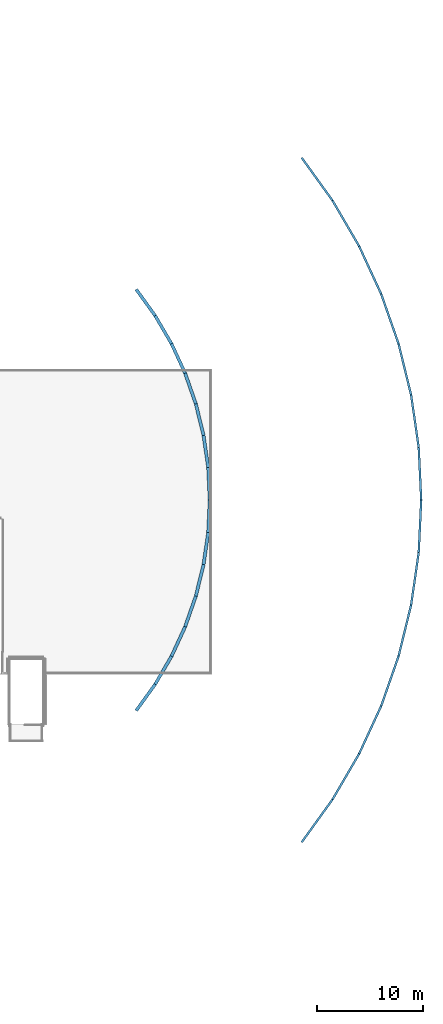
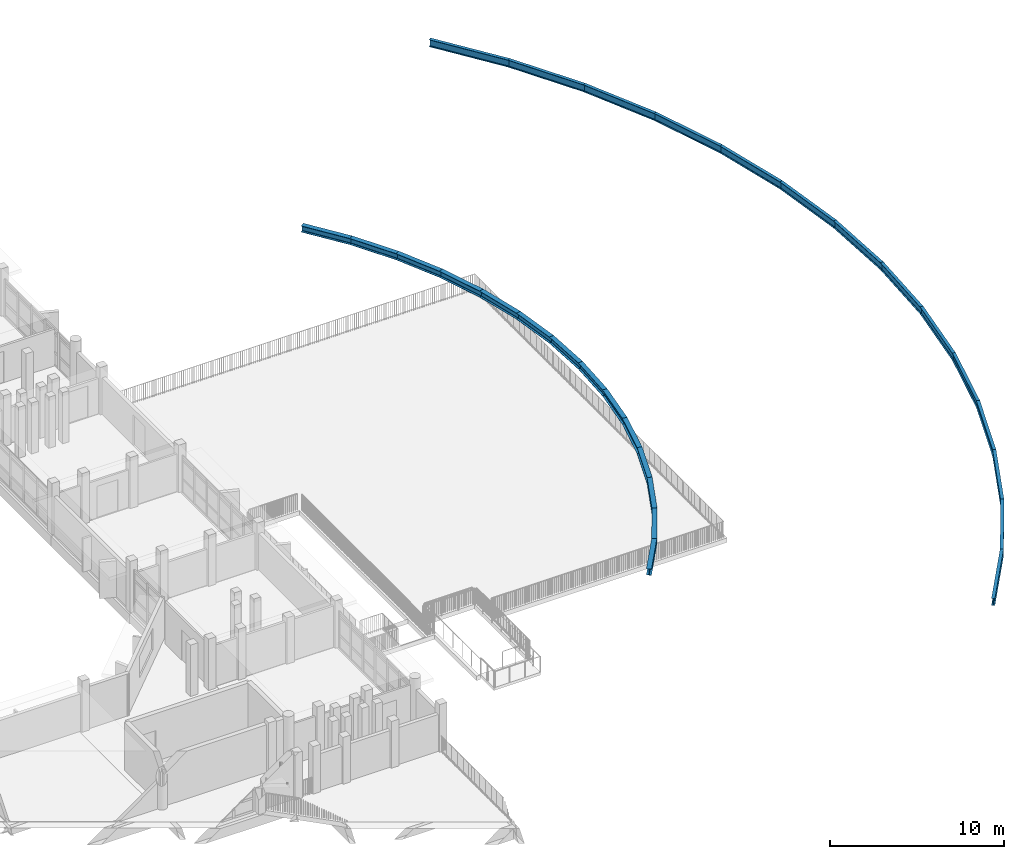
# One storey, part 42 of 92: 28 beams.
"""IFC4 building model written with IfcOpenShell, lengths in metres."""

import ifcopenshell
import ifcopenshell.guid

model = None  # the IFC model being written
_history = None  # IfcOwnerHistory: only IFC2X3 demands one
_inside = {}  # id of a spatial element -> (the spatial element, [elements in it])
_under = {}  # id of a project, library or spatial element -> (it, [spatial elements below it])
_declared = {}  # id of a project -> (the project, [libraries it declares])
_typed = {}  # id of a type object -> (the type object, [elements of that type])
_made_of = {}  # id of a material, layer set ... -> (it, [elements and type objects made of it])


def new_model(schema):
    """Start an empty IFC model of exactly this schema.

    Asked for "IFC4X3", IfcOpenShell would pick the latest addendum, in which some entities
    have other attributes; the version numbers below select the first issue.
    IFC2X3 requires an IfcOwnerHistory on every rooted entity: one is made here for all.
    """
    global model, _history
    if schema == "IFC4X3":
        model = ifcopenshell.file(schema_version=(4, 3, 0, 0))
    else:
        model = ifcopenshell.file(schema=schema)
    _inside.clear()
    _under.clear()
    _declared.clear()
    _typed.clear()
    _made_of.clear()
    _history = None
    if model.schema == "IFC2X3":
        org = make("IfcOrganization", Name="unknown")
        user = make(
            "IfcPersonAndOrganization",
            ThePerson=make("IfcPerson", FamilyName="unknown"),
            TheOrganization=org,
        )
        app = make(
            "IfcApplication",
            ApplicationDeveloper=org,
            Version="unknown",
            ApplicationFullName="unknown",
            ApplicationIdentifier="unknown",
        )
        _history = make(
            "IfcOwnerHistory",
            OwningUser=user,
            OwningApplication=app,
            ChangeAction="ADDED",
            CreationDate=0,
        )
    return model


def make(cls, **values):
    """One entity of the class cls with the attributes given. An attribute that is None is left unset."""
    return model.create_entity(
        cls, **{name: value for name, value in values.items() if value is not None}
    )


def rooted(cls, **values):
    """An entity with a GlobalId (a new one), such as an element, a storey or a relation."""
    return make(cls, GlobalId=ifcopenshell.guid.new(), OwnerHistory=_history, **values)


def si_unit(unit_type, name, prefix=None):
    """IfcSIUnit, for example si_unit("LENGTHUNIT", "METRE", prefix="MILLI")."""
    return make("IfcSIUnit", UnitType=unit_type, Prefix=prefix, Name=name)


def assignment(units):
    """IfcUnitAssignment: the units of a project."""
    return None if units is None else make("IfcUnitAssignment", Units=units)


def point(xyz):
    """IfcCartesianPoint."""
    return None if xyz is None else make("IfcCartesianPoint", Coordinates=xyz)


def direction(xyz):
    """IfcDirection."""
    return None if xyz is None else make("IfcDirection", DirectionRatios=xyz)


def frame(location, z_axis=None, x_axis=None):
    """IfcAxis2Placement3D, a coordinate frame: its origin and axes. An axis left out is left unset."""
    return make(
        "IfcAxis2Placement3D",
        Location=point(location),
        Axis=direction(z_axis),
        RefDirection=direction(x_axis),
    )


def frame_2d(location, x_axis=None):
    """IfcAxis2Placement2D, a coordinate frame in the plane: its origin and x axis."""
    return make(
        "IfcAxis2Placement2D", Location=point(location), RefDirection=direction(x_axis)
    )


def origin():
    """The frame at (0, 0, 0) with its axes left unset."""
    return frame((0.0, 0.0, 0.0))


def origin_2d():
    """The frame at (0, 0) in the plane with its x axis left unset."""
    return frame_2d((0.0, 0.0))


def place(relative_to, where):
    """IfcLocalPlacement: puts the frame where relative to a parent placement (None: the world)."""
    return make(
        "IfcLocalPlacement", PlacementRelTo=relative_to, RelativePlacement=where
    )


def context(
    kind, dimensions, precision=None, world=None, true_north=None, identifier=None
):
    """IfcGeometricRepresentationContext, for example the 3D "Model" context."""
    return make(
        "IfcGeometricRepresentationContext",
        ContextIdentifier=identifier,
        ContextType=kind,
        CoordinateSpaceDimension=dimensions,
        Precision=precision,
        WorldCoordinateSystem=world,
        TrueNorth=true_north,
    )


def subcontext(parent, identifier, kind, view, scale=None):
    """IfcGeometricRepresentationSubContext, for example "Body" below "Model"."""
    return make(
        "IfcGeometricRepresentationSubContext",
        ContextIdentifier=identifier,
        ContextType=kind,
        ParentContext=parent,
        TargetScale=scale,
        TargetView=view,
    )


def project(units=None, contexts=None):
    """IfcProject with its units and contexts."""
    return rooted(
        "IfcProject",
        Name="project",
        RepresentationContexts=contexts,
        UnitsInContext=assignment(units),
    )


def spatial(cls, under=None, at=None, **own):
    """A site, building, storey or space (cls), placed at a placement, below another one or the project."""
    s = rooted(cls, ObjectPlacement=at, **own)
    if under is not None:
        _under.setdefault(under.id(), (under, []))[1].append(s)
    return s


def profile(cls, at=None, kind="AREA", **sizes):
    """A parametric profile (cls). Its sizes go by their IFC names, for example OverallWidth=200.0."""
    return make(cls, ProfileType=kind, Position=at, **sizes)


def i_section(**sizes):
    """IfcIShapeProfileDef."""
    return profile("IfcIShapeProfileDef", **sizes)


def extrude(swept, where, along, depth):
    """IfcExtrudedAreaSolid: the profile swept, set in the frame where, extruded along a direction by depth."""
    return make(
        "IfcExtrudedAreaSolid",
        SweptArea=swept,
        Position=where,
        ExtrudedDirection=direction(along),
        Depth=depth,
    )


def shape(context_of_items, identifier, shape_type, items):
    """IfcShapeRepresentation: the items that make up one representation, for example the "Body"."""
    return make(
        "IfcShapeRepresentation",
        ContextOfItems=context_of_items,
        RepresentationIdentifier=identifier,
        RepresentationType=shape_type,
        Items=items,
    )


def material(Name=None, Category=None):
    """IfcMaterial."""
    return make("IfcMaterial", Name=Name, Category=Category)


def material_profile(
    of_material, cross_section, Name=None, Category=None, Priority=None
):
    """IfcMaterialProfile: a cross section and its material."""
    return make(
        "IfcMaterialProfile",
        Name=Name,
        Material=of_material,
        Profile=cross_section,
        Priority=Priority,
        Category=Category,
    )


def profile_set(profiles, Name=None, composite=None):
    """IfcMaterialProfileSet."""
    return make(
        "IfcMaterialProfileSet",
        Name=Name,
        MaterialProfiles=profiles,
        CompositeProfile=composite,
    )


def made_of(thing, what):
    """Note that an element or type object is made of a material, layer set ...; save() writes the relation."""
    if what is not None:
        _made_of.setdefault(what.id(), (what, []))[1].append(thing)
    return thing


def type_object(cls, material=None, **own):
    """A type object (cls), such as IfcWallType, which elements share."""
    return made_of(rooted(cls, **own), material)


def element(
    cls,
    number,
    at=None,
    inside=None,
    cuts=None,
    type_object=None,
    material=None,
    context=None,
    identifier="Body",
    shape_type=None,
    held_by="IfcProductDefinitionShape",
    body=None,
    shapes=None,
    **own,
):
    """One element of the class cls, such as IfcWall. Its Tag is "e" and its number.

    at: its placement. inside: the storey or other place that contains it. cuts: it is an
    opening in that element (IfcRelVoidsElement). A single representation is given by context,
    identifier, shape_type and body (its items); several are given by shapes. held_by: the class
    of the entity that holds the representations. save() writes the other relations.
    """
    e = rooted(cls, Tag="e%d" % number, ObjectPlacement=at, **own)
    if body is not None:
        shapes = [shape(context, identifier, shape_type, body)]
    if shapes is not None:
        e.Representation = make(held_by, Representations=shapes)
    if inside is not None:
        _inside.setdefault(inside.id(), (inside, []))[1].append(e)
    if cuts is not None:
        rooted(
            "IfcRelVoidsElement", RelatingBuildingElement=cuts, RelatedOpeningElement=e
        )
    if type_object is not None:
        _typed.setdefault(type_object.id(), (type_object, []))[1].append(e)
    return made_of(e, material)


def aggregate(whole, parts):
    """IfcRelAggregates: a whole, such as a stair, and the parts it consists of."""
    return rooted("IfcRelAggregates", RelatingObject=whole, RelatedObjects=parts)


def save(model, path):
    """Write the relations noted so far, then the file.

    IfcRelAggregates (storeys below a building ...), IfcRelContainedInSpatialStructure (elements
    in a storey), IfcRelDefinesByType, IfcRelAssociatesMaterial and IfcRelDeclares: one each for
    every whole, place, type object, material and project.
    """
    for whole, parts in _under.values():
        aggregate(whole, parts)
    for where, things in _inside.values():
        rooted(
            "IfcRelContainedInSpatialStructure",
            RelatedElements=things,
            RelatingStructure=where,
        )
    for kind, things in _typed.values():
        rooted("IfcRelDefinesByType", RelatedObjects=things, RelatingType=kind)
    for what, things in _made_of.values():
        rooted("IfcRelAssociatesMaterial", RelatedObjects=things, RelatingMaterial=what)
    for by, libraries in _declared.values():
        rooted("IfcRelDeclares", RelatingContext=by, RelatedDefinitions=libraries)
    model.write(path)


model = new_model("IFC4")

# Units and contexts
model_context = context("Model", 3, precision=1e-05, world=origin(), true_north=direction((0.0, 1.0)))
body_context = subcontext(model_context, "Body", "Model", "MODEL_VIEW")
ifc_project = project(units=[si_unit("LENGTHUNIT", "METRE"), si_unit("AREAUNIT", "SQUARE_METRE"), si_unit("VOLUMEUNIT", "CUBIC_METRE"), si_unit("PLANEANGLEUNIT", "RADIAN"), si_unit("MASSUNIT", "GRAM", prefix="KILO")], contexts=[model_context])

# Site, building, storey
site_placement = place(None, origin())
site = spatial("IfcSite", under=ifc_project, at=site_placement, CompositionType="ELEMENT")
building_placement = place(site_placement, origin())
building = spatial("IfcBuilding", under=site, at=building_placement, Name="Vanh Quang Courtyard School", CompositionType="ELEMENT")
storey_placement = place(building_placement, frame((0.0, 0.0, 7.800048828125)))
storey = spatial("IfcBuildingStorey", under=building, at=storey_placement, Name="L02", CompositionType="ELEMENT", Elevation=7.800048828125)

# Beams
ifc_material = material(Name="Structural steel EN 10025-2 S355J2", Category="steel")
ifc_material_profile_1 = material_profile(ifc_material, i_section(OverallWidth=0.300048828125, OverallDepth=0.43994140625, WebThickness=0.011474609375, FlangeThickness=0.02099609375, FilletRadius=0.027099609375, at=origin_2d()), Name="HEA 450")
ifc_profile_set_1 = profile_set([ifc_material_profile_1], Name="Structural steel EN 10025-2 S355J2")
beam_type_1 = type_object("IfcBeamType", Name="BM-STL-HEA450", PredefinedType="BEAM", material=ifc_profile_set_1)
for number, where, z_axis, x_axis, name in (
    (1, (137.04345703125, 36.07958984375, 2.179931640625), (0.58425026462, 0.811573550759, 0.0), (-0.811573550759, 0.58425026462, 0.0), "Beam SB-07 (L02)"),
    (2, (138.83740234375, 38.571533203125, 2.179931640625), (0.503757321811, 0.863845218035, 0.0), (-0.863845218035, 0.503757321811, 0.0), "Beam SB-07 (L02)"),
    (3, (140.38427734375, 41.22412109375, 2.179931640625), (0.41868503989, 0.908131508853, 0.0), (-0.908131508853, 0.41868503989, 0.0), "Beam SB-07 (L02)"),
    (4, (141.669921875, 44.0126953125, 2.179931640625), (0.329649085897, 0.944103532547, 0.0), (-0.944103532547, 0.329649085897, 0.0), "Beam SB-07 (L02)"),
    (5, (142.68212890625, 46.91162109375, 2.179931640625), (0.237743194062, 0.971328046376, 0.0), (-0.971328046376, 0.237743194062, 0.0), "Beam SB-07 (L02)"),
    (6, (143.412109375, 49.89404296875, 2.179931640625), (0.143513716722, 0.989648328, 0.0), (-0.989648328, 0.143513716722, 0.0), "Beam SB-07 (L02)"),
    (7, (143.852783203125, 52.932861328125, 2.179931640625), (0.04794289558, 0.998850078222, 0.0), (-0.998850078222, 0.04794289558, 0.0), "Beam SB-07 (L02)"),
    (8, (144.0, 56.0, 2.179931640625), (-0.04794289558, 0.998850078222, 0.0), (-0.998850078222, -0.04794289558, 0.0), "Beam SB-07 (L02)"),
    (9, (143.852783203125, 59.067138671875, 2.179931640625), (-0.143513716722, 0.989648328, 0.0), (-0.989648328, -0.143513716722, 0.0), "Beam SB-07 (L02)"),
    (10, (143.412109375, 62.10595703125, 2.179931640625), (-0.237743194062, 0.971328046376, 0.0), (-0.971328046376, -0.237743194062, 0.0), "Beam SB-07 (L02)"),
    (11, (142.68212890625, 65.08837890625, 2.179931640625), (-0.329649085897, 0.944103532547, 0.0), (-0.944103532547, -0.329649085897, 0.0), "Beam SB-07 (L02)"),
    (12, (141.669921875, 67.9873046875, 2.179931640625), (-0.41868503989, 0.908131508853, 0.0), (-0.908131508853, -0.41868503989, 0.0), "Beam SB-07 (L02)"),
    (13, (140.38427734375, 70.77587890625, 2.179931640625), (-0.503757321811, 0.863845218035, 0.0), (-0.863845218035, -0.503757321811, 0.0), "Beam SB-07 (L02)"),
    (14, (138.83740234375, 73.428466796875, 2.179931640625), (-0.58425026462, 0.811573550759, 0.0), (-0.811573550759, -0.58425026462, 0.0), "Beam SB-07 (L02)"),
):
    element("IfcBeam", number, at=place(storey_placement, frame(where, z_axis=z_axis, x_axis=x_axis)), inside=storey, type_object=beam_type_1, Name=name, PredefinedType="BEAM", context=body_context, shape_type="SweptSolid", body=[
        extrude(i_section(OverallWidth=0.300048828125, OverallDepth=0.43994140625, WebThickness=0.011474609375, FlangeThickness=0.02099609375, FilletRadius=0.027099609375, at=origin_2d()), origin(), (0.0, 0.0, 1.0), 3.070556640625),
    ])
ifc_material_profile_2 = material_profile(ifc_material, i_section(OverallWidth=0.199951171875, OverallDepth=0.5, WebThickness=0.01025390625, FlangeThickness=0.01611328125, FilletRadius=0.02099609375, at=origin_2d()), Name="IPE 500")
ifc_profile_set_2 = profile_set([ifc_material_profile_2], Name="Structural steel EN 10025-2 S355J2")
beam_type_2 = type_object("IfcBeamType", Name="BM-STL-IPE500", PredefinedType="BEAM", material=ifc_profile_set_2)
for number, where, z_axis, x_axis, name in (
    (15, (152.695556640625, 23.629150390625, 2.14990234375), (0.584251878004, 0.811572389285, 0.0), (-0.811572389285, 0.584251878004, 0.0), "Beam SB-03 (L02)"),
    (16, (155.61083984375, 27.6787109375, 2.14990234375), (0.503770629409, 0.86383745748, 0.0), (-0.86383745748, 0.503770629409, 0.0), "Beam SB-03 (L02)"),
):
    element("IfcBeam", number, at=place(storey_placement, frame(where, z_axis=z_axis, x_axis=x_axis)), inside=storey, type_object=beam_type_2, Name=name, PredefinedType="BEAM", context=body_context, shape_type="SweptSolid", body=[
        extrude(i_section(OverallWidth=0.199951171875, OverallDepth=0.5, WebThickness=0.01025390625, FlangeThickness=0.01611328125, FilletRadius=0.02099609375, at=origin_2d()), origin(), (0.0, 0.0, 1.0), 4.98974609375),
    ])
beam_1_placement = place(storey_placement, frame((158.12451171875, 31.989013671875, 2.14990234375), z_axis=(0.418670301438, 0.908138303726, 0.0), x_axis=(-0.908138303726, 0.418670301438, 0.0)))
element("IfcBeam", 17, at=beam_1_placement, inside=storey, type_object=beam_type_2, Name="Beam SB-03 (L02)", PredefinedType="BEAM", context=body_context, shape_type="SweptSolid", body=[
    extrude(i_section(OverallWidth=0.199951171875, OverallDepth=0.5, WebThickness=0.01025390625, FlangeThickness=0.01611328125, FilletRadius=0.02099609375, at=origin_2d()), origin(), (0.0, 0.0, 1.0), 4.989990234375),
])
for number, where, z_axis, x_axis, name in (
    (18, (160.213623046875, 36.5205078125, 2.14990234375), (0.329685601796, 0.944090781635, 0.0), (-0.944090781635, 0.329685601796, 0.0), "Beam SB-03 (L02)"),
    (19, (161.858642578125, 41.231201171875, 2.14990234375), (0.237697272168, 0.971339285113, 0.0), (-0.971339285113, 0.237697272168, 0.0), "Beam SB-03 (L02)"),
    (20, (163.044677734375, 46.077880859375, 2.14990234375), (0.143455463532, 0.989656773828, 0.0), (-0.989656773828, 0.143455463532, 0.0), "Beam SB-03 (L02)"),
    (21, (163.760498046875, 51.01611328125, 2.14990234375), (0.04799986493, 0.998847342173, 0.0), (-0.998847342173, 0.04799986493, 0.0), "Beam SB-03 (L02)"),
    (22, (164.0, 56.0, 2.14990234375), (-0.04799986493, 0.998847342173, 0.0), (-0.998847342173, -0.04799986493, 0.0), "Beam SB-03 (L02)"),
    (23, (163.760498046875, 60.98388671875, 2.14990234375), (-0.143455463532, 0.989656773828, 0.0), (-0.989656773828, -0.143455463532, 0.0), "Beam SB-03 (L02)"),
    (24, (163.044677734375, 65.922119140625, 2.14990234375), (-0.237697272168, 0.971339285113, 0.0), (-0.971339285113, -0.237697272168, 0.0), "Beam SB-03 (L02)"),
    (25, (161.858642578125, 70.768798828125, 2.14990234375), (-0.329685601796, 0.944090781635, 0.0), (-0.944090781635, -0.329685601796, 0.0), "Beam SB-03 (L02)"),
):
    element("IfcBeam", number, at=place(storey_placement, frame(where, z_axis=z_axis, x_axis=x_axis)), inside=storey, type_object=beam_type_2, Name=name, PredefinedType="BEAM", context=body_context, shape_type="SweptSolid", body=[
        extrude(i_section(OverallWidth=0.199951171875, OverallDepth=0.5, WebThickness=0.01025390625, FlangeThickness=0.01611328125, FilletRadius=0.02099609375, at=origin_2d()), origin(), (0.0, 0.0, 1.0), 4.98974609375),
    ])
beam_2_placement = place(storey_placement, frame((160.213623046875, 75.4794921875, 2.14990234375), z_axis=(-0.418670301438, 0.908138303726, 0.0), x_axis=(-0.908138303726, -0.418670301438, 0.0)))
element("IfcBeam", 26, at=beam_2_placement, inside=storey, type_object=beam_type_2, Name="Beam SB-03 (L02)", PredefinedType="BEAM", context=body_context, shape_type="SweptSolid", body=[
    extrude(i_section(OverallWidth=0.199951171875, OverallDepth=0.5, WebThickness=0.01025390625, FlangeThickness=0.01611328125, FilletRadius=0.02099609375, at=origin_2d()), origin(), (0.0, 0.0, 1.0), 4.989990234375),
])
for number, where, z_axis, x_axis, name in (
    (27, (158.12451171875, 80.010986328125, 2.14990234375), (-0.503770629409, 0.86383745748, 0.0), (-0.86383745748, -0.503770629409, 0.0), "Beam SB-03 (L02)"),
    (28, (155.61083984375, 84.3212890625, 2.14990234375), (-0.584251878004, 0.811572389285, 0.0), (-0.811572389285, -0.584251878004, 0.0), "Beam SB-03 (L02)"),
):
    element("IfcBeam", number, at=place(storey_placement, frame(where, z_axis=z_axis, x_axis=x_axis)), inside=storey, type_object=beam_type_2, Name=name, PredefinedType="BEAM", context=body_context, shape_type="SweptSolid", body=[
        extrude(i_section(OverallWidth=0.199951171875, OverallDepth=0.5, WebThickness=0.01025390625, FlangeThickness=0.01611328125, FilletRadius=0.02099609375, at=origin_2d()), origin(), (0.0, 0.0, 1.0), 4.98974609375),
    ])

save(model, "model.ifc")
